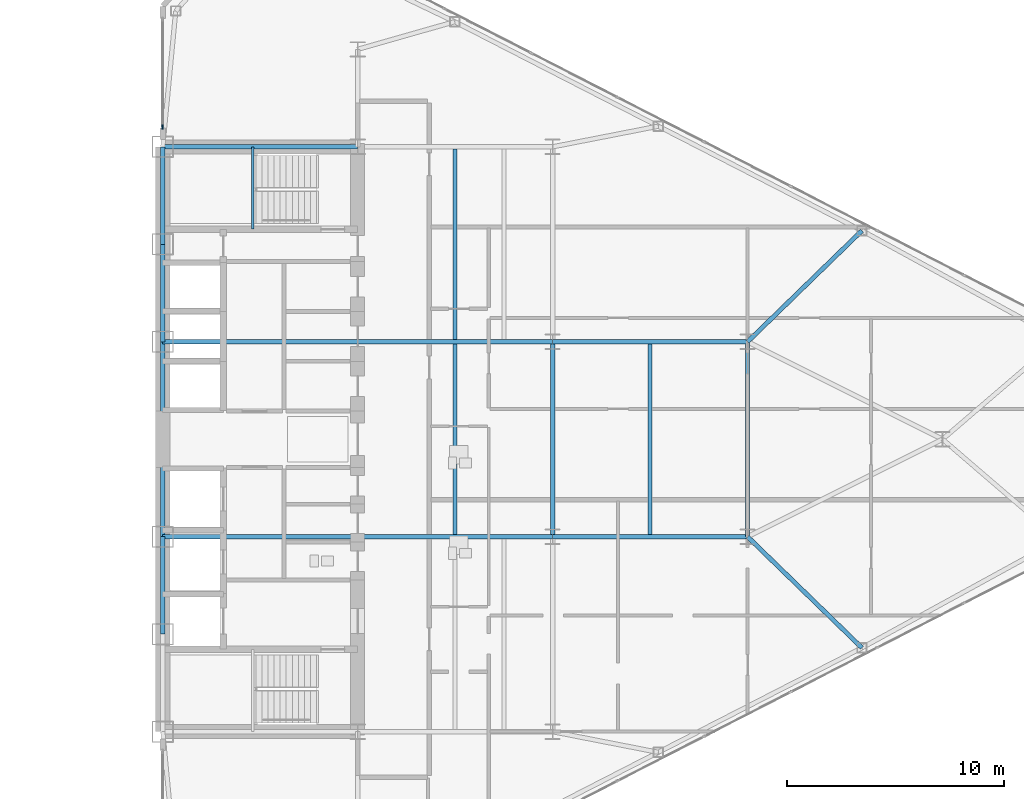
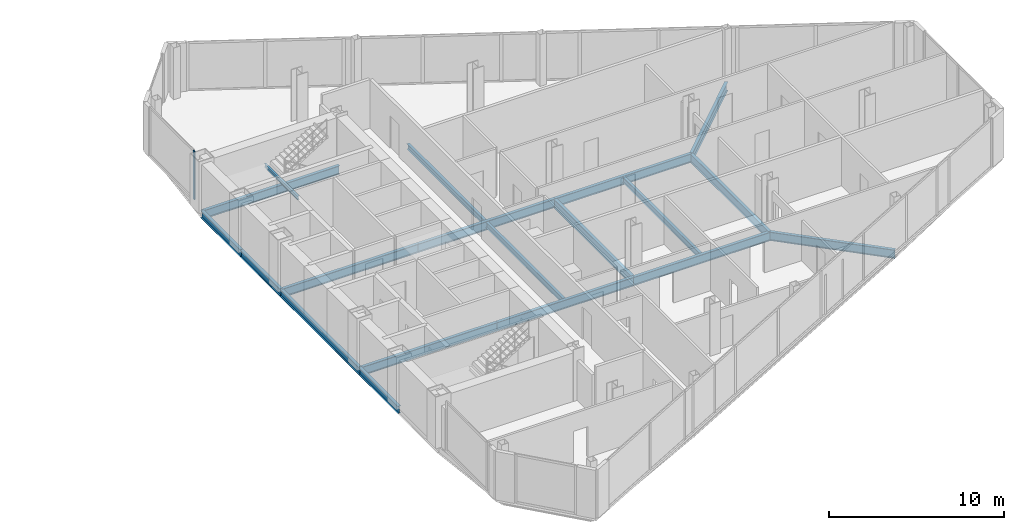
# One storey, part 10 of 24: 19 beams, 1 member, 1 element without a shape of its own.
"""IFC4 building model written with IfcOpenShell, lengths in metres."""

from ifc_helpers import new_model, si_unit, direction, frame, origin, origin_2d, place, context, subcontext, project, spatial, rectangle, i_section, extrude, source, transform, mapped, material, layer, layer_set, material_profile, profile_set, type_object, type_shapes, element, aggregate, save


model = new_model("IFC4")

# Units and contexts
model_context = context("Model", 3, precision=1e-05, world=origin(), true_north=direction((0.0, 1.0)))
body_context = subcontext(model_context, "Body", "Model", "MODEL_VIEW")
ifc_project = project(units=[si_unit("LENGTHUNIT", "METRE"), si_unit("AREAUNIT", "SQUARE_METRE"), si_unit("VOLUMEUNIT", "CUBIC_METRE"), si_unit("PLANEANGLEUNIT", "RADIAN"), si_unit("MASSUNIT", "GRAM", prefix="KILO")], contexts=[model_context])

# Site, building, storey
site_placement = place(None, origin())
site = spatial("IfcSite", under=ifc_project, at=site_placement, CompositionType="ELEMENT")
building_placement = place(site_placement, origin())
building = spatial("IfcBuilding", under=site, at=building_placement, Name="Seokmaru Belvedere", CompositionType="ELEMENT")
storey_placement = place(building_placement, frame((0.0, 0.0, 124.800048828125)))
storey = spatial("IfcBuildingStorey", under=building, at=storey_placement, Name="L33", CompositionType="ELEMENT", Elevation=124.800048828125)

# Beams
ifc_material_1 = material(Name="Steel SM355 (355 MPa)", Category="steel")
ifc_material_profile_1 = material_profile(ifc_material_1, i_section(OverallWidth=0.199951171875, OverallDepth=0.5, WebThickness=0.010009765625, FlangeThickness=0.01611328125, at=origin_2d()), Name="H-500x200x10x16")
ifc_profile_set_1 = profile_set([ifc_material_profile_1], Name="Steel SM355 (355 MPa)")
beam_type_1 = type_object("IfcBeamType", Name="Perimeter Spandrel Beam H-500", PredefinedType="SPANDREL", material=ifc_profile_set_1)
shared_shape_1 = source(origin(), body_context, "Body", "SweptSolid", [
    extrude(i_section(OverallWidth=0.199951171875, OverallDepth=0.5, WebThickness=0.010009765625, FlangeThickness=0.01611328125, at=origin_2d()), origin(), (0.0, 0.0, 1.0), 4.5),
])
for number, where, z_axis, x_axis, name in (
    (1, (27.5, -9.0, -0.469970703125), (0.0, 1.0, 0.0), (-1.0, 0.0, 0.0), "L33 E Portal Spine Spandrel 2"),
    (2, (27.5, 4.5, -0.469970703125), (0.0, 1.0, 0.0), (-1.0, 0.0, 0.0), "L33 E Portal Spine Spandrel 4"),
    (3, (27.5, 9.0, -0.469970703125), (0.0, 1.0, 0.0), (-1.0, 0.0, 0.0), "L33 E Portal Spine Spandrel 5"),
):
    element("IfcBeam", number, at=place(storey_placement, frame(where, z_axis=z_axis, x_axis=x_axis)), inside=storey, type_object=beam_type_1, Name=name, PredefinedType="SPANDREL", context=body_context, shape_type="MappedRepresentation", body=[
        mapped(shared_shape_1, transform((0.0, 0.0, 0.0), scale=1.0)),
    ])
shared_shape_2 = source(origin(), body_context, "Body", "SweptSolid", [
    extrude(i_section(OverallWidth=0.199951171875, OverallDepth=0.5, WebThickness=0.010009765625, FlangeThickness=0.01611328125, at=origin_2d()), origin(), (0.0, 0.0, 1.0), 9.0),
])
type_shapes(beam_type_1, [shared_shape_1, shared_shape_2])
beam_1_placement = place(storey_placement, frame((27.5, -4.5, -0.469970703125), z_axis=(0.0, 1.0, 0.0), x_axis=(-1.0, 0.0, 0.0)))
element("IfcBeam", 4, at=beam_1_placement, inside=storey, type_object=beam_type_1, Name="L33 E Portal Spine Spandrel 3", PredefinedType="SPANDREL", context=body_context, shape_type="MappedRepresentation", body=[
    mapped(shared_shape_2, transform((0.0, 0.0, 0.0), scale=1.0)),
])
ifc_material_profile_2 = material_profile(ifc_material_1, i_section(OverallWidth=0.199951171875, OverallDepth=0.60009765625, WebThickness=0.010986328125, FlangeThickness=0.01708984375, at=origin_2d()), Name="H-600x200x11x17")
ifc_profile_set_2 = profile_set([ifc_material_profile_2], Name="Steel SM355 (355 MPa)")
beam_type_2 = type_object("IfcBeamType", Name="Primary Floor Girder H-600", PredefinedType="BEAM", material=ifc_profile_set_2)
shared_shape_3 = source(origin(), body_context, "Body", "SweptSolid", [
    extrude(i_section(OverallWidth=0.199951171875, OverallDepth=0.60009765625, WebThickness=0.010986328125, FlangeThickness=0.01708984375, at=origin_2d()), origin(), (0.0, 0.0, 1.0), 9.0),
])
for number, where, z_axis, x_axis, name in (
    (5, (45.5, -4.5, -0.52001953125), (0.0, 1.0, 0.0), (-1.0, 0.0, 0.0), "L33 E Interior Grid Girder 2"),
    (6, (27.5, -4.5, -0.52001953125), (1.0, 0.0, 0.0), (0.0, 1.0, 0.0), "L33 E Core Tie Girder 2"),
    (7, (36.5, -4.5, -0.52001953125), (1.0, 0.0, 0.0), (0.0, 1.0, 0.0), "L33 E Wing Primary Girder 2"),
    (8, (27.5, 4.5, -0.52001953125), (1.0, 0.0, 0.0), (0.0, 1.0, 0.0), "L33 E Core Tie Girder 3"),
    (9, (36.5, 4.5, -0.52001953125), (1.0, 0.0, 0.0), (0.0, 1.0, 0.0), "L33 E Wing Primary Girder 3"),
    (10, (27.5, 13.5, -0.52001953125), (1.0, 0.0, 0.0), (0.0, 1.0, 0.0), "L33 E Core Tie Girder 4"),
    (11, (45.5, -4.5, -0.52001953125), (1.0, 0.0, 0.0), (0.0, 1.0, 0.0), "L33 E Outer Wing Girder 1"),
    (12, (45.5, 4.5, -0.52001953125), (1.0, 0.0, 0.0), (0.0, 1.0, 0.0), "L33 E Outer Wing Girder 2"),
    (13, (54.5, -4.5, -0.52001953125), (0.0, 1.0, 0.0), (-1.0, 0.0, 0.0), "L33 E Apex Frame Girder"),
):
    element("IfcBeam", number, at=place(storey_placement, frame(where, z_axis=z_axis, x_axis=x_axis)), inside=storey, type_object=beam_type_2, Name=name, PredefinedType="BEAM", context=body_context, shape_type="MappedRepresentation", body=[
        mapped(shared_shape_3, transform((0.0, 0.0, 0.0), scale=1.0)),
    ])
ifc_material_profile_3 = material_profile(ifc_material_1, i_section(OverallWidth=0.18505859375, OverallDepth=0.389892578125, WebThickness=0.008056640625, FlangeThickness=0.011962890625, at=origin_2d()), Name="H-390x185x8x12")
ifc_profile_set_3 = profile_set([ifc_material_profile_3], Name="Steel SM355 (355 MPa)")
beam_type_3 = type_object("IfcBeamType", Name="Secondary Floor Joist H-350", PredefinedType="JOIST", material=ifc_profile_set_3)
shared_shape_4 = source(origin(), body_context, "Body", "SweptSolid", [
    extrude(i_section(OverallWidth=0.18505859375, OverallDepth=0.389892578125, WebThickness=0.008056640625, FlangeThickness=0.011962890625, at=origin_2d()), origin(), (0.0, 0.0, 1.0), 8.7900390625),
])
type_shapes(beam_type_3, [shared_shape_4])
for number, where, z_axis, x_axis, name in (
    (14, (41.0, -4.39501953125, -0.4150390625), (0.0, 1.0, 0.0), (-1.0, 0.0, 0.0), "L33 E Secondary Floor Joist 2"),
    (15, (41.0, 4.60498046875, -0.4150390625), (0.0, 1.0, 0.0), (-1.0, 0.0, 0.0), "L33 E Secondary Floor Joist 3"),
    (16, (50.0, -4.39501953125, -0.4150390625), (0.0, 1.0, 0.0), (-1.0, 0.0, 0.0), "L33 E Outer Bay Secondary Joist"),
):
    element("IfcBeam", number, at=place(storey_placement, frame(where, z_axis=z_axis, x_axis=x_axis)), inside=storey, type_object=beam_type_3, Name=name, PredefinedType="JOIST", context=body_context, shape_type="MappedRepresentation", body=[
        mapped(shared_shape_4, transform((0.0, 0.0, 0.0), scale=1.0)),
    ])
shared_shape_5 = source(origin(), body_context, "Body", "SweptSolid", [
    extrude(i_section(OverallWidth=0.199951171875, OverallDepth=0.60009765625, WebThickness=0.010986328125, FlangeThickness=0.01708984375, at=origin_2d()), origin(), (0.0, 0.0, 1.0), 7.35986328125),
])
type_shapes(beam_type_2, [shared_shape_3, shared_shape_5])
for number, where, z_axis, x_axis, name in (
    (17, (59.778564453125, -9.62890625, -0.52001953125), (-0.717200745515, 0.696866623273, 0.0), (-0.696866623273, -0.717200745515, 0.0), "L33 E Flank Radial Floor Girder S-3"),
    (18, (59.778564453125, 9.62890625, -0.52001953125), (-0.717200745515, -0.696866623273, 0.0), (0.696866623273, -0.717200745515, 0.0), "L33 E Flank Radial Floor Girder N-3"),
):
    element("IfcBeam", number, at=place(storey_placement, frame(where, z_axis=z_axis, x_axis=x_axis)), inside=storey, type_object=beam_type_2, Name=name, PredefinedType="BEAM", context=body_context, shape_type="MappedRepresentation", body=[
        mapped(shared_shape_5, transform((0.0, 0.0, 0.0), scale=1.0)),
    ])

# Curtain wall, member
ifc_material_2 = material(Name="Bronze Triple Insulating Glass", Category="glass")
ifc_layer = layer(ifc_material_2, 0.195068359375)
ifc_layer_set = layer_set([ifc_layer], Name="Bronze Triple Insulating Glass")
curtain_wall_type = type_object("IfcCurtainWallType", Name="Sky-Lobby and Mid-Rise Curtain Wall System CW-4", PredefinedType="NOTDEFINED", material=ifc_layer_set)
curtain_wall_placement = place(storey_placement, origin())
curtain_wall = element("IfcCurtainWall", 19, at=curtain_wall_placement, inside=storey, type_object=curtain_wall_type, Name="L33 Curtain Wall ESP_2", PredefinedType="NOTDEFINED")
ifc_material_3 = material(Name="Anodised Bronze Aluminium", Category="aluminium")
ifc_material_profile_4 = material_profile(ifc_material_3, rectangle(XDim=0.070068359375, YDim=0.195068359375, at=origin_2d()), Name="CW-M-70x195")
ifc_profile_set_4 = profile_set([ifc_material_profile_4], Name="Anodised Bronze Aluminium")
member_type = type_object("IfcMemberType", Name="Bronze Unitised Mullion 70x195", PredefinedType="MULLION", material=ifc_profile_set_4)
shared_shape_6 = source(origin(), body_context, "Body", "SweptSolid", [
    extrude(rectangle(XDim=0.070068359375, YDim=0.195068359375, at=origin_2d()), origin(), (0.0, 0.0, 1.0), 3.3798828125),
])
type_shapes(member_type, [shared_shape_6])
member_placement = place(storey_placement, frame((27.5, 14.4150390625, 0.0), z_axis=(0.0, 0.0, 1.0), x_axis=(1.0, 0.0, 0.0)))
member = element("IfcMember", 20, at=member_placement, type_object=member_type, Name="CW:L33:ESP_2 Mullion 2", PredefinedType="MULLION", context=body_context, shape_type="MappedRepresentation", body=[
    mapped(shared_shape_6, transform((0.0, 0.0, 0.0), scale=1.0)),
])
aggregate(curtain_wall, [member])

# Beam
ifc_material_profile_5 = material_profile(ifc_material_1, i_section(OverallWidth=0.125, OverallDepth=0.25, WebThickness=0.006103515625, FlangeThickness=0.009033203125, at=origin_2d()), Name="H-250x125x6x9")
ifc_profile_set_5 = profile_set([ifc_material_profile_5], Name="Steel SM355 (355 MPa)")
beam_type_4 = type_object("IfcBeamType", Name="Stair Mid-Landing Support Beam H-250", PredefinedType="JOIST", material=ifc_profile_set_5)
shared_shape_7 = source(origin(), body_context, "Body", "SweptSolid", [
    extrude(i_section(OverallWidth=0.125, OverallDepth=0.25, WebThickness=0.006103515625, FlangeThickness=0.009033203125, at=origin_2d()), origin(), (0.0, 0.0, 1.0), 3.800048828125),
])
type_shapes(beam_type_4, [shared_shape_7])
beam_2_placement = place(storey_placement, frame((31.64990234375, 9.699951171875, 1.474853515625), z_axis=(0.0, 1.0, 0.0), x_axis=(-1.0, 0.0, 0.0)))
element("IfcBeam", 21, at=beam_2_placement, inside=storey, type_object=beam_type_4, Name="L33 Stair ST-E2 Mid-Landing Support Beam 1", PredefinedType="JOIST", context=body_context, shape_type="MappedRepresentation", body=[
    mapped(shared_shape_7, transform((0.0, 0.0, 0.0), scale=1.0)),
])

save(model, "model.ifc")
